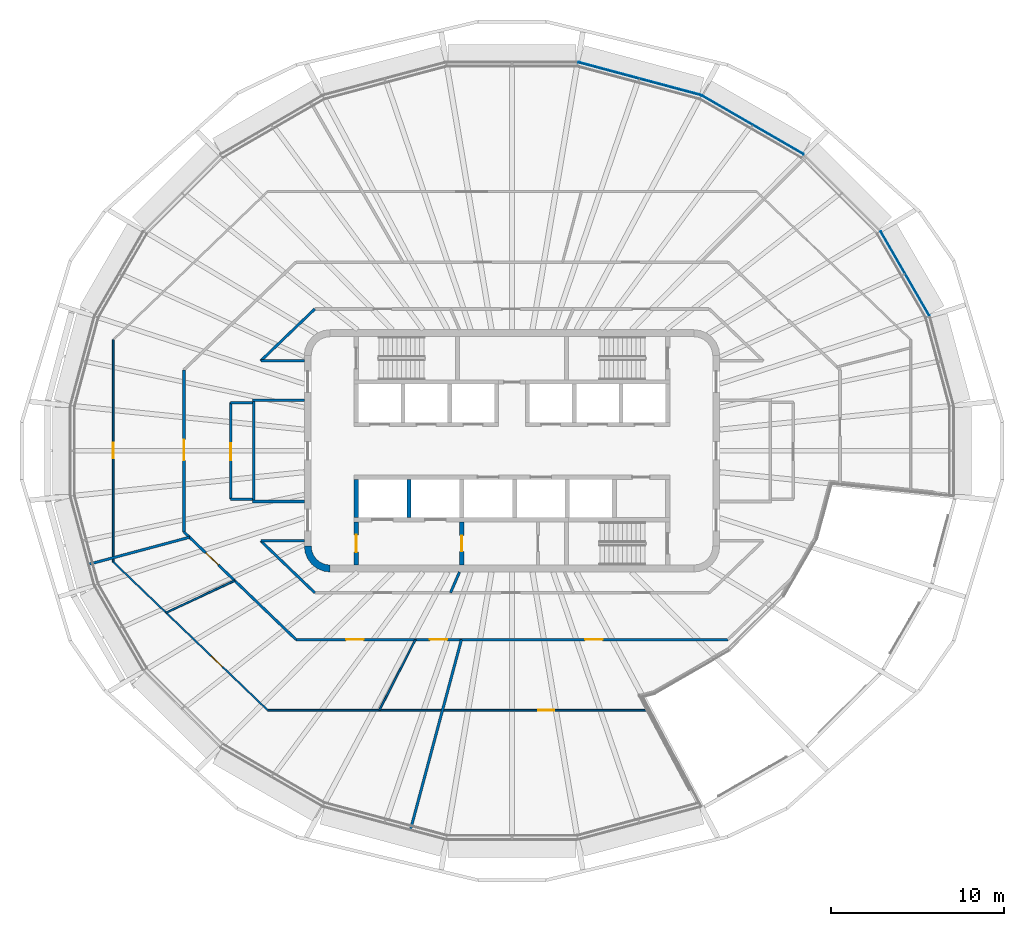
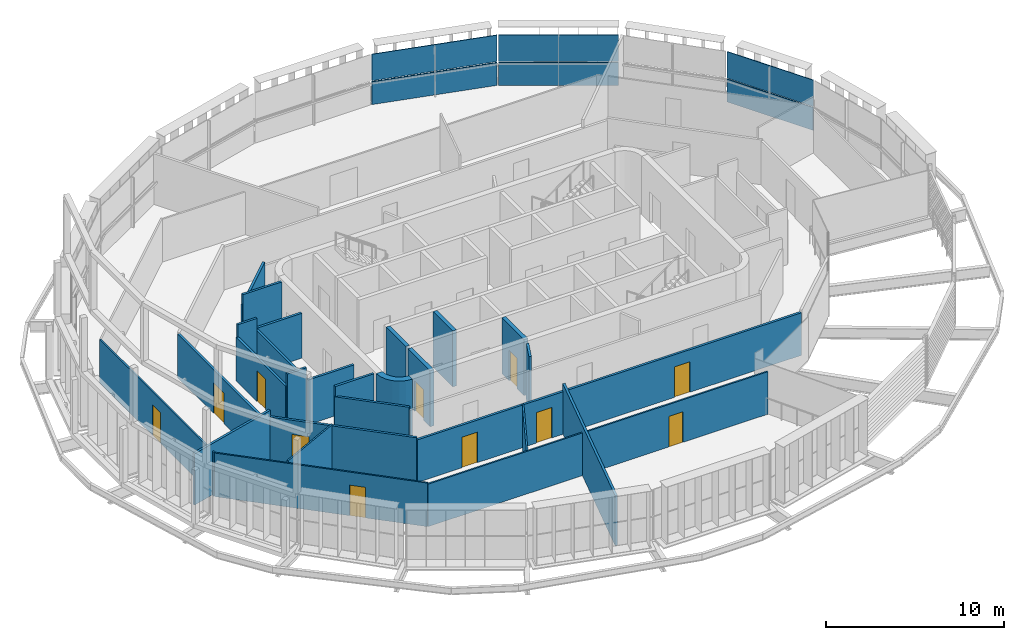
# One storey, part 8 of 18: 26 walls, 11 doors, 6 plates, 11 openings, 3 elements without a shape of their own.
"""IFC4 building model written with IfcOpenShell, lengths in metres."""

from ifc_helpers import new_model, si_unit, direction, frame, frame_2d, origin, place, context, subcontext, project, spatial, polyline, rectangle, outline, extrude, material, layer, layer_set, type_object, element, fill, aggregate, save


model = new_model("IFC4")

# Units and contexts
model_context = context("Model", 3, precision=1e-05, world=origin(), true_north=direction((0.0, 1.0)))
body_context = subcontext(model_context, "Body", "Model", "MODEL_VIEW")
ifc_project = project(units=[si_unit("LENGTHUNIT", "METRE"), si_unit("AREAUNIT", "SQUARE_METRE"), si_unit("VOLUMEUNIT", "CUBIC_METRE"), si_unit("PLANEANGLEUNIT", "RADIAN"), si_unit("MASSUNIT", "GRAM", prefix="KILO")], contexts=[model_context])

# Site, building, storey
site_placement = place(None, origin())
site = spatial("IfcSite", under=ifc_project, at=site_placement, CompositionType="ELEMENT")
building_placement = place(site_placement, origin())
building = spatial("IfcBuilding", under=site, at=building_placement, Name="Sahrelin Media Tower", CompositionType="ELEMENT")
storey_placement = place(building_placement, frame((0.0, 0.0, 312.39990234375)))
storey = spatial("IfcBuildingStorey", under=building, at=storey_placement, Name="L69", CompositionType="ELEMENT", Elevation=312.39990234375)

# Curtain wall, plate
ifc_material_1 = material(Name="Champagne anodised aluminium 6063-T6", Category="aluminium")
ifc_layer_1 = layer(ifc_material_1, 0.14990234375)
ifc_layer_set_1 = layer_set([ifc_layer_1], Name="Tower ribbon curtain wall")
curtain_wall_type = type_object("IfcCurtainWallType", Name="Tower ribbon curtain wall", PredefinedType="NOTDEFINED", material=ifc_layer_set_1)
curtain_wall_1_placement = place(storey_placement, frame((22.709228515625, 10.2431640625, 0.0), z_axis=(0.0, 0.0, 1.0), x_axis=(1.0, 0.0, 0.0)))
curtain_wall_1 = element("IfcCurtainWall", 1, at=curtain_wall_1_placement, inside=storey, type_object=curtain_wall_type, Name="L69:CW:L69-02", PredefinedType="NOTDEFINED")
ifc_material_2 = material(Name="Clear low-iron glazing", Category="glass")
ifc_layer_2 = layer(ifc_material_2, 0.048095703125)
ifc_layer_set_2 = layer_set([ifc_layer_2], Name="Glazing panel 48 mm CW1C")
plate_type_1 = type_object("IfcPlateType", Name="Glazing panel 48 mm CW1C", PredefinedType="CURTAIN_PANEL", material=ifc_layer_set_2)
plate_1_placement = place(storey_placement, frame((24.12548828125, 7.830322265625, 1.630126953125), z_axis=(0.866022106883, 0.500005710357, 0.0), x_axis=(-0.500005710357, 0.866022106883, 0.0)))
plate_1 = element("IfcPlate", 2, at=plate_1_placement, type_object=plate_type_1, Name="L69:CWP2:L69-02", PredefinedType="CURTAIN_PANEL", context=body_context, shape_type="SweptSolid", body=[
    extrude(outline(polyline([(0.0, 0.0), (5.595703125, 0.0), (5.595703125, 1.818603515625), (0.0, 1.818603515625), (0.0, 0.0)])), origin(), (0.0, 0.0, -1.0), 0.048095703125),
])

curtain_wall_2_placement = place(storey_placement, frame((13.904296875, 18.834716796875, 0.0), z_axis=(0.0, 0.0, 1.0), x_axis=(1.0, 0.0, 0.0)))
curtain_wall_2 = element("IfcCurtainWall", 3, at=curtain_wall_2_placement, inside=storey, type_object=curtain_wall_type, Name="L69:CW:L69-04", PredefinedType="NOTDEFINED")
plate_2_placement = place(storey_placement, frame((16.842529296875, 17.161376953125, 1.630126953125), z_axis=(0.499987050139, 0.866032880261, 0.0), x_axis=(-0.866032880261, 0.499987050139, 0.0)))
plate_2 = element("IfcPlate", 4, at=plate_2_placement, type_object=plate_type_1, Name="L69:CWP2:L69-04", PredefinedType="CURTAIN_PANEL", context=body_context, shape_type="SweptSolid", body=[
    extrude(outline(polyline([(0.0, 0.0), (6.762451171875, 0.0), (6.762451171875, 1.818603515625), (0.0, 1.818603515625), (0.0, 0.0)])), origin(), (0.0, 0.0, -1.0), 0.048095703125),
])

curtain_wall_3_placement = place(storey_placement, frame((7.365234375, 21.506103515625, 0.0), z_axis=(0.0, 0.0, 1.0), x_axis=(1.0, 0.0, 0.0)))
curtain_wall_3 = element("IfcCurtainWall", 5, at=curtain_wall_3_placement, inside=storey, type_object=curtain_wall_type, Name="L69:CW:L69-05", PredefinedType="NOTDEFINED")
plate_3_placement = place(storey_placement, frame((10.8896484375, 20.58251953125, 1.630126953125), z_axis=(0.25881981979, 0.965925618712, 0.0), x_axis=(-0.965925618712, 0.25881981979, 0.0)))
plate_3 = element("IfcPlate", 6, at=plate_3_placement, type_object=plate_type_1, Name="L69:CWP2:L69-05", PredefinedType="CURTAIN_PANEL", context=body_context, shape_type="SweptSolid", body=[
    extrude(outline(polyline([(0.0, 0.0), (7.286865234375, 0.0), (7.286865234375, 1.818603515625), (0.0, 1.818603515625), (0.0, 0.0)])), origin(), (0.0, 0.0, -1.0), 0.048095703125),
])

# Plate
ifc_material_3 = material(Name="Insulated spandrel panel")
ifc_layer_3 = layer(ifc_material_3, 0.06005859375)
ifc_layer_set_3 = layer_set([ifc_layer_3], Name="Spandrel panel 60 mm CW1")
plate_type_2 = type_object("IfcPlateType", Name="Spandrel panel 60 mm CW1", PredefinedType="SHEET", material=ifc_layer_set_3)
plate_4_placement = place(storey_placement, frame((24.12548828125, 7.830322265625, 0.0), z_axis=(0.866022106883, 0.500005710357, 0.0), x_axis=(-0.500005710357, 0.866022106883, 0.0)))
plate_4 = element("IfcPlate", 7, at=plate_4_placement, type_object=plate_type_2, Name="L69:CWP1:L69-02", PredefinedType="SHEET", context=body_context, shape_type="SweptSolid", body=[
    extrude(outline(polyline([(0.0, 0.0), (5.595703125, 0.0), (5.595703125, 1.570068359375), (0.0, 1.570068359375), (0.0, 0.0)])), origin(), (0.0, 0.0, -1.0), 0.06005859375),
])

aggregate(curtain_wall_1, [plate_4, plate_1])

plate_5_placement = place(storey_placement, frame((16.842529296875, 17.161376953125, 0.0), z_axis=(0.499987050139, 0.866032880261, 0.0), x_axis=(-0.866032880261, 0.499987050139, 0.0)))
plate_5 = element("IfcPlate", 8, at=plate_5_placement, type_object=plate_type_2, Name="L69:CWP1:L69-04", PredefinedType="SHEET", context=body_context, shape_type="SweptSolid", body=[
    extrude(outline(polyline([(0.0, 0.0), (6.762451171875, 0.0), (6.762451171875, 1.570068359375), (0.0, 1.570068359375), (0.0, 0.0)])), origin(), (0.0, 0.0, -1.0), 0.06005859375),
])

aggregate(curtain_wall_2, [plate_5, plate_2])

plate_6_placement = place(storey_placement, frame((10.8896484375, 20.58251953125, 0.0), z_axis=(0.25881981979, 0.965925618712, 0.0), x_axis=(-0.965925618712, 0.25881981979, 0.0)))
plate_6 = element("IfcPlate", 9, at=plate_6_placement, type_object=plate_type_2, Name="L69:CWP1:L69-05", PredefinedType="SHEET", context=body_context, shape_type="SweptSolid", body=[
    extrude(outline(polyline([(0.0, 0.0), (7.286865234375, 0.0), (7.286865234375, 1.570068359375), (0.0, 1.570068359375), (0.0, 0.0)])), origin(), (0.0, 0.0, -1.0), 0.06005859375),
])

aggregate(curtain_wall_3, [plate_6, plate_3])

# Walls
ifc_material_4 = material(Name="Concrete C60/75", Category="concrete")
ifc_layer_4 = layer(ifc_material_4, 0.39990234375)
ifc_layer_set_4 = layer_set([ifc_layer_4], Name="Core wall 400")
wall_type_1 = type_object("IfcWallType", Name="Core wall 400", PredefinedType="SHEAR", material=ifc_layer_set_4)
wall_1_placement = place(storey_placement, origin())
element("IfcWall", 10, at=wall_1_placement, inside=storey, type_object=wall_type_1, Name="Core wall corner SW L69", PredefinedType="SHEAR", context=body_context, shape_type="SweptSolid", body=[
    extrude(outline(polyline([(-10.5, -7.0), (-10.5, -6.596435546875), (-10.78369140625, -6.55908203125), (-11.04833984375, -6.44970703125), (-11.275390625, -6.275390625), (-11.44970703125, -6.04833984375), (-11.55908203125, -5.78369140625), (-11.596435546875, -5.5), (-12.0, -5.5), (-11.948974609375, -5.88818359375), (-11.799072265625, -6.25), (-11.560791015625, -6.560791015625), (-11.25, -6.799072265625), (-10.88818359375, -6.948974609375), (-10.5, -7.0)])), origin(), (0.0, 0.0, 1.0), 4.0),
])
ifc_material_5 = material(Name="Fire-rated gypsum board partition")
ifc_layer_5 = layer(ifc_material_5, 0.14990234375)
ifc_layer_set_5 = layer_set([ifc_layer_5], Name="Fire-rated partition 150")
wall_type_2 = type_object("IfcWallType", Name="Fire-rated partition 150", PredefinedType="PARTITIONING", material=ifc_layer_set_5)
wall_2_placement = place(storey_placement, frame((-14.925048828125, -2.85009765625, 0.0), z_axis=(0.0, 0.0, 1.0), x_axis=(0.0, 1.0, 0.0)))
element("IfcWall", 11, at=wall_2_placement, inside=storey, type_object=wall_type_2, Name="Core room fire partition", PredefinedType="PARTITIONING", context=body_context, shape_type="SweptSolid", body=[
    extrude(rectangle(XDim=5.7001953125, YDim=0.14990234375, at=frame_2d((2.85009765625, 0.0))), origin(), (0.0, 0.0, 1.0), 2.995361328125),
])
for number, where, z_axis, x_axis, name in (
    (12, (-15.0, 2.925048828125, 0.0), (0.0, 0.0, 1.0), (1.0, 0.0, 0.0), "Core room fire partition"),
    (13, (-15.0, -2.925048828125, 0.0), (0.0, 0.0, 1.0), (1.0, 0.0, 0.0), "Core room fire partition"),
):
    element("IfcWall", number, at=place(storey_placement, frame(where, z_axis=z_axis, x_axis=x_axis)), inside=storey, type_object=wall_type_2, Name=name, PredefinedType="PARTITIONING", context=body_context, shape_type="SweptSolid", body=[
        extrude(rectangle(XDim=3.0, YDim=0.14990234375, at=frame_2d((1.5, 0.0))), origin(), (0.0, 0.0, 1.0), 3.076171875),
    ])

# Wall, opening, door
wall_3_placement = place(storey_placement, frame((-18.949951171875, -4.68310546875, 0.0), z_axis=(0.0, 0.0, 1.0), x_axis=(0.721312831662, -0.692609412931, 0.0)))
wall_3 = element("IfcWall", 14, at=wall_3_placement, inside=storey, type_object=wall_type_2, Name="Wall", PredefinedType="PARTITIONING", context=body_context, shape_type="SweptSolid", body=[
    extrude(rectangle(XDim=8.973388671875, YDim=0.14990234375, at=frame_2d((4.48681640625, 0.0))), origin(), (0.0, 0.0, 1.0), 3.076171875),
])
opening_1_placement = place(wall_3_placement, frame((1.755126953125, 0.0, 0.0)))
opening_1 = element("IfcOpeningElement", 15, at=opening_1_placement, cuts=wall_3, Name="Opening L69-D25", PredefinedType="OPENING", context=body_context, shape_type="SweptSolid", body=[
    extrude(rectangle(XDim=1.0, YDim=2.10009765625, at=frame_2d((0.5, 1.050048828125))), frame((0.0, 0.074951171875, 0.0), z_axis=(0.0, -1.0, 0.0), x_axis=(1.0, 0.0, 0.0)), (0.0, 0.0, 1.0), 0.14990234375),
])
ifc_material_6 = material(Name="Steel fire door leaf", Category="steel")
door_type_1 = type_object("IfcDoorType", Name="Fire door 1000 x 2100 EI 60", OperationType="NOTDEFINED", PredefinedType="DOOR", material=ifc_material_6)
door_1_placement = place(opening_1_placement, origin())
door_1 = element("IfcDoor", 16, at=door_1_placement, inside=storey, type_object=door_type_1, Name="Fire door", OperationType="SINGLE_SWING_RIGHT", OverallHeight=2.10009765625, OverallWidth=1.0, PredefinedType="DOOR", context=body_context, shape_type="SweptSolid", body=[
    extrude(rectangle(XDim=1.0, YDim=2.10009765625, at=frame_2d((0.5, 1.050048828125))), frame((0.0, 0.02490234375, 0.0), z_axis=(0.0, -1.0, 0.0), x_axis=(1.0, 0.0, 0.0)), (0.0, 0.0, 1.0), 0.050048828125),
])
fill(opening_1, door_1)

# Wall
wall_4_placement = place(storey_placement, frame((-14.513916015625, -5.199951171875, 0.0), z_axis=(0.0, 0.0, 1.0), x_axis=(0.721283649967, -0.692639802704, 0.0)))
element("IfcWall", 17, at=wall_4_placement, inside=storey, type_object=wall_type_2, Name="Wall", PredefinedType="PARTITIONING", context=body_context, shape_type="SweptSolid", body=[
    extrude(rectangle(XDim=4.329833984375, YDim=0.14990234375, at=frame_2d((2.1650390625, 0.0))), origin(), (0.0, 0.0, 1.0), 3.152099609375),
])

# Wall, openings, doors
wall_5_placement = place(storey_placement, frame((-12.47802734375, -10.89892578125, 0.0), z_axis=(0.0, 0.0, 1.0), x_axis=(1.0, 0.0, 0.0)))
wall_5 = element("IfcWall", 18, at=wall_5_placement, inside=storey, type_object=wall_type_2, Name="Wall", PredefinedType="PARTITIONING", context=body_context, shape_type="SweptSolid", body=[
    extrude(rectangle(XDim=24.9560546875, YDim=0.14990234375, at=frame_2d((12.47802734375, 0.0))), origin(), (0.0, 0.0, 1.0), 2.927001953125),
])
opening_2_placement = place(wall_5_placement, frame((2.902099609375, 0.0, 0.0)))
opening_2 = element("IfcOpeningElement", 19, at=opening_2_placement, cuts=wall_5, Name="Opening L69-D26", PredefinedType="OPENING", context=body_context, shape_type="SweptSolid", body=[
    extrude(rectangle(XDim=1.0, YDim=2.10009765625, at=frame_2d((0.5, 1.050048828125))), frame((0.0, 0.074951171875, 0.0), z_axis=(0.0, -1.0, 0.0), x_axis=(1.0, 0.0, 0.0)), (0.0, 0.0, 1.0), 0.14990234375),
])
opening_3_placement = place(wall_5_placement, frame((7.73095703125, 0.0, 0.0)))
opening_3 = element("IfcOpeningElement", 20, at=opening_3_placement, cuts=wall_5, Name="Opening L69-D27", PredefinedType="OPENING", context=body_context, shape_type="SweptSolid", body=[
    extrude(rectangle(XDim=1.0, YDim=2.10009765625, at=frame_2d((0.5, 1.050048828125))), frame((0.0, 0.074951171875, 0.0), z_axis=(0.0, -1.0, 0.0), x_axis=(1.0, 0.0, 0.0)), (0.0, 0.0, 1.0), 0.14990234375),
])
opening_4_placement = place(wall_5_placement, frame((16.70654296875, 0.0, 0.0)))
opening_4 = element("IfcOpeningElement", 21, at=opening_4_placement, cuts=wall_5, Name="Opening L69-D29", PredefinedType="OPENING", context=body_context, shape_type="SweptSolid", body=[
    extrude(rectangle(XDim=1.0, YDim=2.10009765625, at=frame_2d((0.5, 1.050048828125))), frame((0.0, 0.074951171875, 0.0), z_axis=(0.0, -1.0, 0.0), x_axis=(1.0, 0.0, 0.0)), (0.0, 0.0, 1.0), 0.14990234375),
])
door_2_placement = place(opening_2_placement, origin())
door_2 = element("IfcDoor", 22, at=door_2_placement, inside=storey, type_object=door_type_1, Name="Fire door", OperationType="SINGLE_SWING_RIGHT", OverallHeight=2.10009765625, OverallWidth=1.0, PredefinedType="DOOR", context=body_context, shape_type="SweptSolid", body=[
    extrude(rectangle(XDim=1.0, YDim=2.10009765625, at=frame_2d((0.5, 1.050048828125))), frame((0.0, 0.02490234375, 0.0), z_axis=(0.0, -1.0, 0.0), x_axis=(1.0, 0.0, 0.0)), (0.0, 0.0, 1.0), 0.050048828125),
])
fill(opening_2, door_2)
door_3_placement = place(opening_3_placement, origin())
door_3 = element("IfcDoor", 23, at=door_3_placement, inside=storey, type_object=door_type_1, Name="Fire door", OperationType="SINGLE_SWING_LEFT", OverallHeight=2.10009765625, OverallWidth=1.0, PredefinedType="DOOR", context=body_context, shape_type="SweptSolid", body=[
    extrude(rectangle(XDim=1.0, YDim=2.10009765625, at=frame_2d((0.5, 1.050048828125))), frame((0.0, 0.02490234375, 0.0), z_axis=(0.0, -1.0, 0.0), x_axis=(1.0, 0.0, 0.0)), (0.0, 0.0, 1.0), 0.050048828125),
])
fill(opening_3, door_3)
door_4_placement = place(opening_4_placement, origin())
door_4 = element("IfcDoor", 24, at=door_4_placement, inside=storey, type_object=door_type_1, Name="Fire door", OperationType="SINGLE_SWING_RIGHT", OverallHeight=2.10009765625, OverallWidth=1.0, PredefinedType="DOOR", context=body_context, shape_type="SweptSolid", body=[
    extrude(rectangle(XDim=1.0, YDim=2.10009765625, at=frame_2d((0.5, 1.050048828125))), frame((0.0, 0.02490234375, 0.0), z_axis=(0.0, -1.0, 0.0), x_axis=(1.0, 0.0, 0.0)), (0.0, 0.0, 1.0), 0.050048828125),
])
fill(opening_4, door_4)

# Walls
wall_6_placement = place(storey_placement, frame((-14.513916015625, -5.199951171875, 0.0), z_axis=(0.0, 0.0, 1.0), x_axis=(1.0, 0.0, 0.0)))
element("IfcWall", 25, at=wall_6_placement, inside=storey, type_object=wall_type_2, Name="Wall", PredefinedType="PARTITIONING", context=body_context, shape_type="SweptSolid", body=[
    extrude(rectangle(XDim=2.513916015625, YDim=0.14990234375, at=frame_2d((1.2568359375, 0.0))), origin(), (0.0, 0.0, 1.0), 3.85009765625),
])
for number, where, z_axis, x_axis, name in (
    (26, (-16.25, -2.7900390625, 0.0), (0.0, 0.0, 1.0), (1.0, 0.0, 0.0), "Wall"),
    (27, (-16.25, 2.7900390625, 0.0), (0.0, 0.0, 1.0), (1.0, 0.0, 0.0), "Wall"),
):
    element("IfcWall", number, at=place(storey_placement, frame(where, z_axis=z_axis, x_axis=x_axis)), inside=storey, type_object=wall_type_2, Name=name, PredefinedType="PARTITIONING", context=body_context, shape_type="SweptSolid", body=[
        extrude(rectangle(XDim=1.25, YDim=0.14990234375, at=frame_2d((0.625, 0.0))), origin(), (0.0, 0.0, 1.0), 3.85009765625),
    ])
wall_7_placement = place(storey_placement, frame((-14.513916015625, 5.199951171875, 0.0), z_axis=(0.0, 0.0, 1.0), x_axis=(1.0, 0.0, 0.0)))
element("IfcWall", 28, at=wall_7_placement, inside=storey, type_object=wall_type_2, Name="Wall", PredefinedType="PARTITIONING", context=body_context, shape_type="SweptSolid", body=[
    extrude(rectangle(XDim=2.513916015625, YDim=0.14990234375, at=frame_2d((1.2568359375, 0.0))), origin(), (0.0, 0.0, 1.0), 3.85009765625),
])
wall_8_placement = place(storey_placement, frame((-24.4609375, -6.553955078125, 0.0), z_axis=(0.0, 0.0, 1.0), x_axis=(0.965890459785, 0.258950998638, 0.0)))
element("IfcWall", 29, at=wall_8_placement, inside=storey, type_object=wall_type_2, Name="Wall", PredefinedType="PARTITIONING", context=body_context, shape_type="SweptSolid", body=[
    extrude(rectangle(XDim=6.037841796875, YDim=0.14990234375, at=frame_2d((3.01904296875, 0.0))), origin(), (0.0, 0.0, 1.0), 3.526611328125),
])
wall_9_placement = place(storey_placement, frame((-14.513916015625, 5.199951171875, 0.0), z_axis=(0.0, 0.0, 1.0), x_axis=(0.721228427004, 0.692697304803, 0.0)))
element("IfcWall", 30, at=wall_9_placement, inside=storey, type_object=wall_type_2, Name="Wall", PredefinedType="PARTITIONING", context=body_context, shape_type="SweptSolid", body=[
    extrude(rectangle(XDim=4.329833984375, YDim=0.14990234375, at=frame_2d((2.1650390625, 0.0))), origin(), (0.0, 0.0, 1.0), 3.152099609375),
])
wall_10_placement = place(storey_placement, frame((-3.552978515625, -8.198974609375, 0.0), z_axis=(0.0, 0.0, 1.0), x_axis=(0.397906243356, 0.917426085033, 0.0)))
element("IfcWall", 31, at=wall_10_placement, inside=storey, type_object=wall_type_2, Name="Wall", PredefinedType="PARTITIONING", context=body_context, shape_type="SweptSolid", body=[
    extrude(rectangle(XDim=1.306884765625, YDim=0.14990234375, at=frame_2d((0.6533203125, 0.0))), origin(), (0.0, 0.0, 1.0), 3.85009765625),
])
wall_11_placement = place(storey_placement, frame((-5.8701171875, -21.906982421875, 0.0), z_axis=(0.0, 0.0, 1.0), x_axis=(0.258847804171, 0.965918119861, 0.0)))
element("IfcWall", 32, at=wall_11_placement, inside=storey, type_object=wall_type_2, Name="Wall", PredefinedType="PARTITIONING", context=body_context, shape_type="SweptSolid", body=[
    extrude(rectangle(XDim=11.396484375, YDim=0.14990234375, at=frame_2d((5.6982421875, 0.0))), origin(), (0.0, 0.0, 1.0), 3.423583984375),
])

# Wall, opening, door
wall_12_placement = place(storey_placement, frame((-16.25, -2.7900390625, 0.0), z_axis=(0.0, 0.0, 1.0), x_axis=(0.0, 1.0, 0.0)))
wall_12 = element("IfcWall", 33, at=wall_12_placement, inside=storey, type_object=wall_type_2, Name="Wall", PredefinedType="PARTITIONING", context=body_context, shape_type="SweptSolid", body=[
    extrude(rectangle(XDim=5.580078125, YDim=0.14990234375, at=frame_2d((2.7900390625, 0.0))), origin(), (0.0, 0.0, 1.0), 2.995361328125),
])
opening_5_placement = place(wall_12_placement, frame((2.23876953125, 0.0, 0.0)))
opening_5 = element("IfcOpeningElement", 34, at=opening_5_placement, cuts=wall_12, Name="Opening L69-D22", PredefinedType="OPENING", context=body_context, shape_type="SweptSolid", body=[
    extrude(rectangle(XDim=1.0, YDim=2.10009765625, at=frame_2d((0.5, 1.050048828125))), frame((0.0, 0.074951171875, 0.0), z_axis=(0.0, -1.0, 0.0), x_axis=(1.0, 0.0, 0.0)), (0.0, 0.0, 1.0), 0.14990234375),
])
door_5_placement = place(opening_5_placement, origin())
door_5 = element("IfcDoor", 35, at=door_5_placement, inside=storey, type_object=door_type_1, Name="Fire door", OperationType="SINGLE_SWING_RIGHT", OverallHeight=2.10009765625, OverallWidth=1.0, PredefinedType="DOOR", context=body_context, shape_type="SweptSolid", body=[
    extrude(rectangle(XDim=1.0, YDim=2.10009765625, at=frame_2d((0.5, 1.050048828125))), frame((0.0, 0.02490234375, 0.0), z_axis=(0.0, -1.0, 0.0), x_axis=(1.0, 0.0, 0.0)), (0.0, 0.0, 1.0), 0.050048828125),
])
fill(opening_5, door_5)

wall_13_placement = place(storey_placement, frame((-18.949951171875, -4.68310546875, 0.0), z_axis=(0.0, 0.0, 1.0), x_axis=(0.0, 1.0, 0.0)))
wall_13 = element("IfcWall", 36, at=wall_13_placement, inside=storey, type_object=wall_type_2, Name="Wall", PredefinedType="PARTITIONING", context=body_context, shape_type="SweptSolid", body=[
    extrude(rectangle(XDim=9.3662109375, YDim=0.14990234375, at=frame_2d((4.68310546875, 0.0))), origin(), (0.0, 0.0, 1.0), 2.995361328125),
])
opening_6_placement = place(wall_13_placement, frame((4.133544921875, 0.0, 0.0)))
opening_6 = element("IfcOpeningElement", 37, at=opening_6_placement, cuts=wall_13, Name="Opening L69-D23", PredefinedType="OPENING", context=body_context, shape_type="SweptSolid", body=[
    extrude(rectangle(XDim=1.199951171875, YDim=2.10009765625, at=frame_2d((0.60009765625, 1.050048828125))), frame((0.0, 0.074951171875, 0.0), z_axis=(0.0, -1.0, 0.0), x_axis=(1.0, 0.0, 0.0)), (0.0, 0.0, 1.0), 0.14990234375),
])
door_type_2 = type_object("IfcDoorType", Name="Service double door 1200 x 2100 EI 60", OperationType="DOUBLE_DOOR_SINGLE_SWING", PredefinedType="DOOR", material=ifc_material_6)
door_6_placement = place(opening_6_placement, origin())
door_6 = element("IfcDoor", 38, at=door_6_placement, inside=storey, type_object=door_type_2, Name="Service double door", OperationType="DOUBLE_DOOR_SINGLE_SWING", OverallHeight=2.10009765625, OverallWidth=1.199951171875, PredefinedType="DOOR", context=body_context, shape_type="SweptSolid", body=[
    extrude(rectangle(XDim=1.199951171875, YDim=2.10009765625, at=frame_2d((0.60009765625, 1.050048828125))), frame((0.0, 0.02490234375, 0.0), z_axis=(0.0, -1.0, 0.0), x_axis=(1.0, 0.0, 0.0)), (0.0, 0.0, 1.0), 0.050048828125),
])
fill(opening_6, door_6)

ifc_layer_6 = layer(ifc_material_5, 0.25)
ifc_layer_set_6 = layer_set([ifc_layer_6], Name="Firefighting lobby wall 250")
wall_type_3 = type_object("IfcWallType", Name="Firefighting lobby wall 250", PredefinedType="PARTITIONING", material=ifc_layer_set_6)
wall_14_placement = place(storey_placement, frame((-9.0, -6.60009765625, 0.0), z_axis=(0.0, 0.0, 1.0), x_axis=(0.0, 1.0, 0.0)))
wall_14 = element("IfcWall", 39, at=wall_14_placement, inside=storey, type_object=wall_type_3, Name="Core wall", PredefinedType="PARTITIONING", context=body_context, shape_type="SweptSolid", body=[
    extrude(rectangle(XDim=2.5, YDim=0.25, at=frame_2d((1.25, 0.0))), origin(), (0.0, 0.0, 1.0), 3.85009765625),
])
opening_7_placement = place(wall_14_placement, frame((0.75, 0.0, 0.0)))
opening_7 = element("IfcOpeningElement", 40, at=opening_7_placement, cuts=wall_14, Name="Opening L69-D04", PredefinedType="OPENING", context=body_context, shape_type="SweptSolid", body=[
    extrude(rectangle(XDim=1.0, YDim=2.10009765625, at=frame_2d((0.5, 1.050048828125))), frame((0.0, 0.125, 0.0), z_axis=(0.0, -1.0, 0.0), x_axis=(1.0, 0.0, 0.0)), (0.0, 0.0, 1.0), 0.25),
])
door_type_3 = type_object("IfcDoorType", Name="Firefighting lobby door 1000 x 2100 EI 120", OperationType="NOTDEFINED", PredefinedType="DOOR", material=ifc_material_6)
door_7_placement = place(opening_7_placement, origin())
door_7 = element("IfcDoor", 41, at=door_7_placement, inside=storey, type_object=door_type_3, Name="Firefighting lobby door", OperationType="SINGLE_SWING_LEFT", OverallHeight=2.10009765625, OverallWidth=1.0, PredefinedType="DOOR", context=body_context, shape_type="SweptSolid", body=[
    extrude(rectangle(XDim=1.0, YDim=2.10009765625, at=frame_2d((0.5, 1.050048828125))), frame((0.0, 0.02490234375, 0.0), z_axis=(0.0, -1.0, 0.0), x_axis=(1.0, 0.0, 0.0)), (0.0, 0.0, 1.0), 0.050048828125),
])
fill(opening_7, door_7)

wall_15_placement = place(storey_placement, frame((-2.89990234375, -6.60009765625, 0.0), z_axis=(0.0, 0.0, 1.0), x_axis=(0.0, 1.0, 0.0)))
wall_15 = element("IfcWall", 42, at=wall_15_placement, inside=storey, type_object=wall_type_3, Name="Core wall", PredefinedType="PARTITIONING", context=body_context, shape_type="SweptSolid", body=[
    extrude(rectangle(XDim=2.5, YDim=0.25, at=frame_2d((1.25, 0.0))), origin(), (0.0, 0.0, 1.0), 3.85009765625),
])
opening_8_placement = place(wall_15_placement, frame((0.800048828125, 0.0, 0.0)))
opening_8 = element("IfcOpeningElement", 43, at=opening_8_placement, cuts=wall_15, Name="Opening L69-D05", PredefinedType="OPENING", context=body_context, shape_type="SweptSolid", body=[
    extrude(rectangle(XDim=0.89990234375, YDim=2.10009765625, at=frame_2d((0.449951171875, 1.050048828125))), frame((0.0, 0.125, 0.0), z_axis=(0.0, -1.0, 0.0), x_axis=(1.0, 0.0, 0.0)), (0.0, 0.0, 1.0), 0.25),
])
door_type_4 = type_object("IfcDoorType", Name="Firefighting lobby door 900 x 2100 EI 120", OperationType="NOTDEFINED", PredefinedType="DOOR", material=ifc_material_6)
door_8_placement = place(opening_8_placement, origin())
door_8 = element("IfcDoor", 44, at=door_8_placement, inside=storey, type_object=door_type_4, Name="Riser door", OperationType="SINGLE_SWING_RIGHT", OverallHeight=2.10009765625, OverallWidth=0.89990234375, PredefinedType="DOOR", context=body_context, shape_type="SweptSolid", body=[
    extrude(rectangle(XDim=0.89990234375, YDim=2.10009765625, at=frame_2d((0.449951171875, 1.050048828125))), frame((0.0, 0.02490234375, 0.0), z_axis=(0.0, -1.0, 0.0), x_axis=(1.0, 0.0, 0.0)), (0.0, 0.0, 1.0), 0.050048828125),
])
fill(opening_8, door_8)

# Walls
ifc_layer_7 = layer(ifc_material_4, 0.25)
ifc_layer_set_7 = layer_set([ifc_layer_7], Name="Lift shaft wall 250")
wall_type_4 = type_object("IfcWallType", Name="Lift shaft wall 250", PredefinedType="SOLIDWALL", material=ifc_layer_set_7)
for number, where, z_axis, x_axis, name in (
    (45, (-9.0, -3.85009765625, 0.0), (0.0, 0.0, 1.0), (0.0, 1.0, 0.0), "Lift shaft wall"),
    (46, (-5.949951171875, -3.85009765625, 0.0), (0.0, 0.0, 1.0), (0.0, 1.0, 0.0), "Lift shaft wall"),
):
    element("IfcWall", number, at=place(storey_placement, frame(where, z_axis=z_axis, x_axis=x_axis)), inside=storey, type_object=wall_type_4, Name=name, PredefinedType="SOLIDWALL", context=body_context, shape_type="SweptSolid", body=[
        extrude(rectangle(XDim=2.2001953125, YDim=0.25, at=frame_2d((1.10009765625, 0.0))), origin(), (0.0, 0.0, 1.0), 3.85009765625),
    ])

# Wall, opening, door
ifc_material_7 = material(Name="Gypsum board partition")
ifc_layer_8 = layer(ifc_material_7, 0.10009765625)
ifc_layer_set_8 = layer_set([ifc_layer_8], Name="Partition 100")
wall_type_5 = type_object("IfcWallType", Name="Partition 100", PredefinedType="PARTITIONING", material=ifc_layer_set_8)
wall_16_placement = place(storey_placement, frame((-23.030029296875, -6.4208984375, 0.0), z_axis=(0.0, 0.0, 1.0), x_axis=(0.721337166522, -0.692584068684, 0.0)))
wall_16 = element("IfcWall", 47, at=wall_16_placement, inside=storey, type_object=wall_type_5, Name="Wall", PredefinedType="PARTITIONING", context=body_context, shape_type="SweptSolid", body=[
    extrude(rectangle(XDim=12.354248046875, YDim=0.10009765625, at=frame_2d((6.17724609375, 0.0))), origin(), (0.0, 0.0, 1.0), 2.995361328125),
])
opening_9_placement = place(wall_16_placement, frame((7.84326171875, 0.0, 0.0)))
opening_9 = element("IfcOpeningElement", 48, at=opening_9_placement, cuts=wall_16, Name="Opening L69-D28", PredefinedType="OPENING", context=body_context, shape_type="SweptSolid", body=[
    extrude(rectangle(XDim=0.89990234375, YDim=2.10009765625, at=frame_2d((0.449951171875, 1.050048828125))), frame((0.0, 0.050048828125, 0.0), z_axis=(0.0, -1.0, 0.0), x_axis=(1.0, 0.0, 0.0)), (0.0, 0.0, 1.0), 0.10009765625),
])
ifc_material_8 = material(Name="Timber door leaf", Category="wood")
door_type_5 = type_object("IfcDoorType", Name="Single door 900 x 2100", OperationType="NOTDEFINED", PredefinedType="DOOR", material=ifc_material_8)
door_9_placement = place(opening_9_placement, origin())
door_9 = element("IfcDoor", 49, at=door_9_placement, inside=storey, type_object=door_type_5, Name="Single door", OperationType="SINGLE_SWING_LEFT", OverallHeight=2.10009765625, OverallWidth=0.89990234375, PredefinedType="DOOR", context=body_context, shape_type="SweptSolid", body=[
    extrude(rectangle(XDim=0.89990234375, YDim=2.10009765625, at=frame_2d((0.449951171875, 1.050048828125))), frame((0.0, 0.02490234375, 0.0), z_axis=(0.0, -1.0, 0.0), x_axis=(1.0, 0.0, 0.0)), (0.0, 0.0, 1.0), 0.050048828125),
])
fill(opening_9, door_9)

wall_17_placement = place(storey_placement, frame((-14.1201171875, -14.97900390625, 0.0), z_axis=(0.0, 0.0, 1.0), x_axis=(1.0, 0.0, 0.0)))
wall_17 = element("IfcWall", 50, at=wall_17_placement, inside=storey, type_object=wall_type_5, Name="Wall", PredefinedType="PARTITIONING", context=body_context, shape_type="SweptSolid", body=[
    extrude(rectangle(XDim=22.089111328125, YDim=0.10009765625, at=frame_2d((11.04443359375, 0.0))), origin(), (0.0, 0.0, 1.0), 2.927001953125),
])
opening_10_placement = place(wall_17_placement, frame((15.64794921875, 0.0, 0.0)))
opening_10 = element("IfcOpeningElement", 51, at=opening_10_placement, cuts=wall_17, Name="Opening L69-D30", PredefinedType="OPENING", context=body_context, shape_type="SweptSolid", body=[
    extrude(rectangle(XDim=0.89990234375, YDim=2.10009765625, at=frame_2d((0.449951171875, 1.050048828125))), frame((0.0, 0.050048828125, 0.0), z_axis=(0.0, -1.0, 0.0), x_axis=(1.0, 0.0, 0.0)), (0.0, 0.0, 1.0), 0.10009765625),
])
door_10_placement = place(opening_10_placement, origin())
door_10 = element("IfcDoor", 52, at=door_10_placement, inside=storey, type_object=door_type_5, Name="Single door", OperationType="SINGLE_SWING_LEFT", OverallHeight=2.10009765625, OverallWidth=0.89990234375, PredefinedType="DOOR", context=body_context, shape_type="SweptSolid", body=[
    extrude(rectangle(XDim=0.89990234375, YDim=2.10009765625, at=frame_2d((0.449951171875, 1.050048828125))), frame((0.0, 0.02490234375, 0.0), z_axis=(0.0, -1.0, 0.0), x_axis=(1.0, 0.0, 0.0)), (0.0, 0.0, 1.0), 0.050048828125),
])
fill(opening_10, door_10)

# Walls
wall_18_placement = place(storey_placement, frame((-19.98193359375, -9.34912109375, 0.0), z_axis=(0.0, 0.0, 1.0), x_axis=(0.905780511999, 0.42374717, 0.0)))
element("IfcWall", 53, at=wall_18_placement, inside=storey, type_object=wall_type_5, Name="Wall", PredefinedType="PARTITIONING", context=body_context, shape_type="SweptSolid", body=[
    extrude(rectangle(XDim=4.373046875, YDim=0.10009765625, at=frame_2d((2.1865234375, 0.0))), origin(), (0.0, 0.0, 1.0), 3.152099609375),
])
wall_19_placement = place(storey_placement, frame((-7.660888671875, -14.97900390625, 0.0), z_axis=(0.0, 0.0, 1.0), x_axis=(0.455377612986, 0.890298393569, 0.0)))
element("IfcWall", 54, at=wall_19_placement, inside=storey, type_object=wall_type_5, Name="Wall", PredefinedType="PARTITIONING", context=body_context, shape_type="SweptSolid", body=[
    extrude(rectangle(XDim=4.582763671875, YDim=0.10009765625, at=frame_2d((2.29150390625, 0.0))), origin(), (0.0, 0.0, 1.0), 2.927001953125),
])

# Wall, opening, door
wall_20_placement = place(storey_placement, frame((-23.030029296875, -6.4208984375, 0.0), z_axis=(0.0, 0.0, 1.0), x_axis=(0.0, 1.0, 0.0)))
wall_20 = element("IfcWall", 55, at=wall_20_placement, inside=storey, type_object=wall_type_5, Name="Wall", PredefinedType="PARTITIONING", context=body_context, shape_type="SweptSolid", body=[
    extrude(rectangle(XDim=12.841796875, YDim=0.10009765625, at=frame_2d((6.4208984375, 0.0))), origin(), (0.0, 0.0, 1.0), 2.995361328125),
])
opening_11_placement = place(wall_20_placement, frame((5.99560546875, 0.0, 0.0)))
opening_11 = element("IfcOpeningElement", 56, at=opening_11_placement, cuts=wall_20, Name="Opening L69-D24", PredefinedType="OPENING", context=body_context, shape_type="SweptSolid", body=[
    extrude(rectangle(XDim=0.89990234375, YDim=2.10009765625, at=frame_2d((0.449951171875, 1.050048828125))), frame((0.0, 0.050048828125, 0.0), z_axis=(0.0, -1.0, 0.0), x_axis=(1.0, 0.0, 0.0)), (0.0, 0.0, 1.0), 0.10009765625),
])
door_11_placement = place(opening_11_placement, origin())
door_11 = element("IfcDoor", 57, at=door_11_placement, inside=storey, type_object=door_type_5, Name="Single door", OperationType="SINGLE_SWING_RIGHT", OverallHeight=2.10009765625, OverallWidth=0.89990234375, PredefinedType="DOOR", context=body_context, shape_type="SweptSolid", body=[
    extrude(rectangle(XDim=0.89990234375, YDim=2.10009765625, at=frame_2d((0.449951171875, 1.050048828125))), frame((0.0, 0.02490234375, 0.0), z_axis=(0.0, -1.0, 0.0), x_axis=(1.0, 0.0, 0.0)), (0.0, 0.0, 1.0), 0.050048828125),
])
fill(opening_11, door_11)

save(model, "model.ifc")
